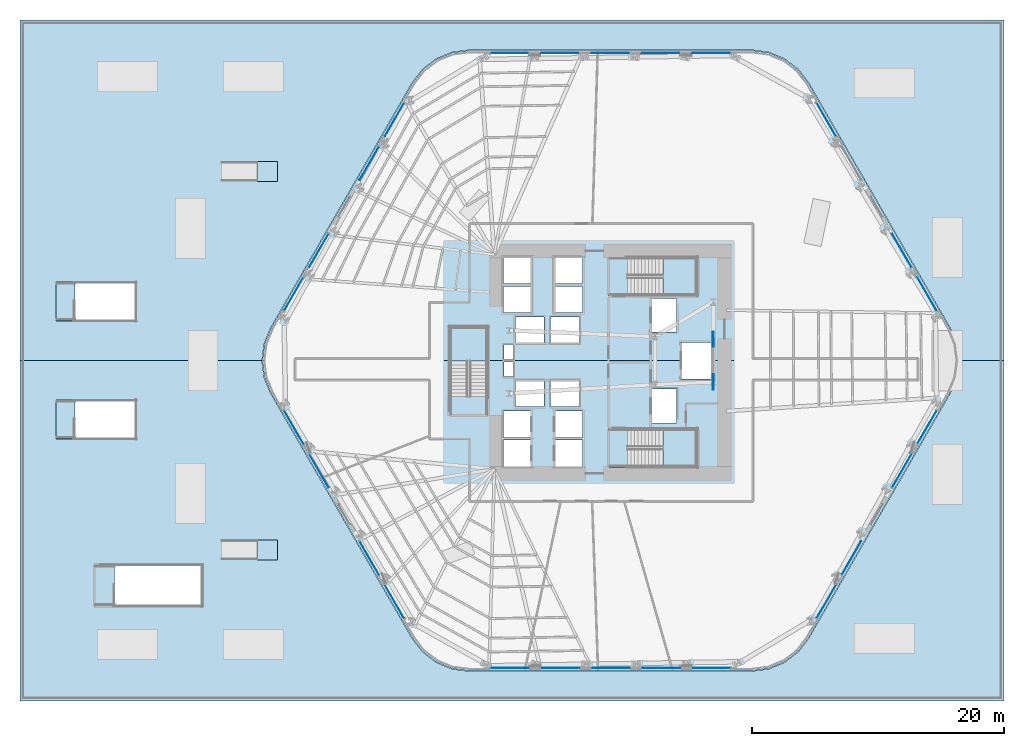
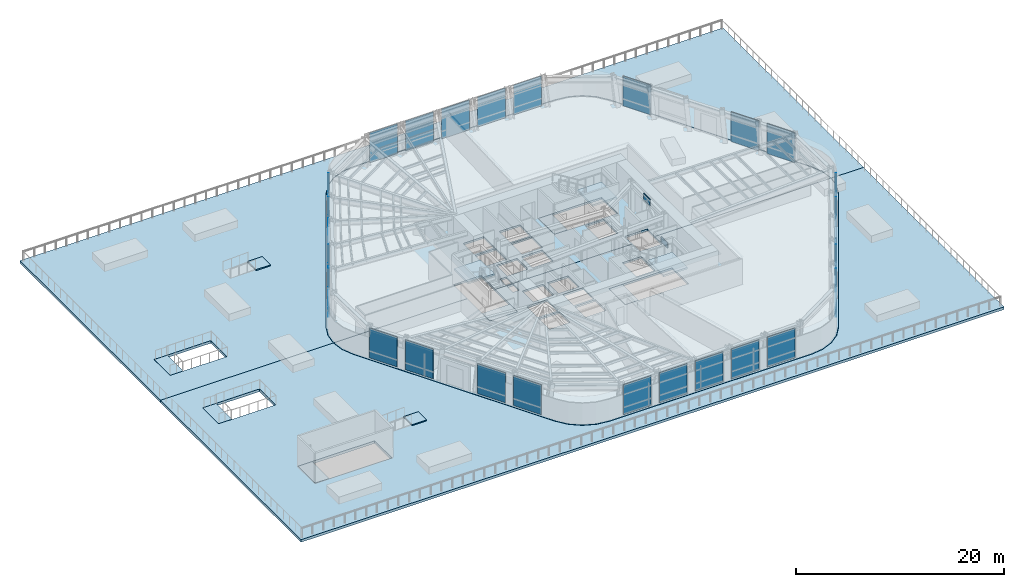
# One storey, part 7 of 18: 27 plates, 15 slabs, 11 elements without a shape of their own.
"""IFC4 building model written with IfcOpenShell, lengths in metres."""

from ifc_helpers import new_model, si_unit, direction, frame, origin, origin_2d, place, context, subcontext, project, spatial, polyline, rectangle, outline, extrude, material, layer, layer_set, type_object, element, aggregate, save


model = new_model("IFC4")

# Units and contexts
model_context = context("Model", 3, precision=1e-05, world=origin(), true_north=direction((0.0, 1.0)))
body_context = subcontext(model_context, "Body", "Model", "MODEL_VIEW")
ifc_project = project(units=[si_unit("LENGTHUNIT", "METRE"), si_unit("AREAUNIT", "SQUARE_METRE"), si_unit("VOLUMEUNIT", "CUBIC_METRE"), si_unit("PLANEANGLEUNIT", "RADIAN"), si_unit("MASSUNIT", "GRAM", prefix="KILO")], contexts=[model_context])

# Site, building, storey
site_placement = place(None, origin())
site = spatial("IfcSite", under=ifc_project, at=site_placement, CompositionType="ELEMENT")
building_placement = place(site_placement, origin())
building = spatial("IfcBuilding", under=site, at=building_placement, Name="Valkerne Bourse Tower", CompositionType="ELEMENT")
storey_placement = place(building_placement, frame((0.0, 0.0, 24.0)))
storey = spatial("IfcBuildingStorey", under=building, at=storey_placement, Name="L05", CompositionType="ELEMENT", Elevation=24.0)

# Curtain wall, plates
ifc_material_1 = material(Name="Aluminium AA 6063-T6", Category="aluminium")
ifc_layer_1 = layer(ifc_material_1, 0.22509765625)
ifc_layer_set_1 = layer_set([ifc_layer_1], Name="Aluminium AA 6063-T6")
curtain_wall_type = type_object("IfcCurtainWallType", Name="CW-01", PredefinedType="NOTDEFINED", material=ifc_layer_set_1)
curtain_wall_1_placement = place(storey_placement, origin())
curtain_wall_1 = element("IfcCurtainWall", 1, at=curtain_wall_1_placement, inside=storey, type_object=curtain_wall_type, Name="L05 Hexagonal Stick Curtain Wall Face 1", PredefinedType="NOTDEFINED")
ifc_material_2 = material(Name="Glass IGU Low-E Double Glazed", Category="glass")
ifc_layer_2 = layer(ifc_material_2, 0.031982421875)
ifc_layer_set_2 = layer_set([ifc_layer_2], Name="Glass IGU Low-E Double Glazed")
plate_type_1 = type_object("IfcPlateType", Name="CW-PNL-IGU-32", PredefinedType="CURTAIN_PANEL", material=ifc_layer_set_2)
plate_1_placement = place(storey_placement, frame((71.90283203125, 32.264892578125, 0.030029296875), z_axis=(0.0, 0.0, 1.0), x_axis=(-0.500004065051, 0.866023056813, 0.0)))
plate_1 = element("IfcPlate", 2, at=plate_1_placement, type_object=plate_type_1, Name="CW-L05-F1 Curtain Panel 00", PredefinedType="CURTAIN_PANEL", context=body_context, shape_type="SweptSolid", body=[
    extrude(rectangle(XDim=3.075927734375, YDim=0.031982421875, at=origin_2d()), origin(), (0.0, 0.0, 1.0), 3.52001953125),
])
plate_2_placement = place(storey_placement, frame((69.90478515625, 35.7255859375, 0.030029296875), z_axis=(0.0, 0.0, 1.0), x_axis=(-0.499993228951, 0.866029313016, 0.0)))
plate_2 = element("IfcPlate", 3, at=plate_2_placement, type_object=plate_type_1, Name="CW-L05-F1 Curtain Panel 01", PredefinedType="CURTAIN_PANEL", context=body_context, shape_type="SweptSolid", body=[
    extrude(rectangle(XDim=3.076171875, YDim=0.031982421875, at=origin_2d()), origin(), (0.0, 0.0, 1.0), 3.52001953125),
])
plate_3_placement = place(storey_placement, frame((63.910888671875, 46.107421875, 0.030029296875), z_axis=(0.0, 0.0, 1.0), x_axis=(-0.500004065051, 0.866023056813, 0.0)))
plate_3 = element("IfcPlate", 4, at=plate_3_placement, type_object=plate_type_1, Name="CW-L05-F1 Curtain Panel 04", PredefinedType="CURTAIN_PANEL", context=body_context, shape_type="SweptSolid", body=[
    extrude(rectangle(XDim=3.075927734375, YDim=0.031982421875, at=origin_2d()), origin(), (0.0, 0.0, 1.0), 3.52001953125),
])
aggregate(curtain_wall_1, [plate_1, plate_2, plate_3])

curtain_wall_2_placement = place(storey_placement, origin())
curtain_wall_2 = element("IfcCurtainWall", 5, at=curtain_wall_2_placement, inside=storey, type_object=curtain_wall_type, Name="L05 Hexagonal Stick Curtain Wall Face 2", PredefinedType="NOTDEFINED")
plate_4_placement = place(storey_placement, frame((54.7919921875, 51.372314453125, 0.030029296875), z_axis=(0.0, 0.0, 1.0), x_axis=(-1.0, 0.0, 0.0)))
plate_4 = element("IfcPlate", 6, at=plate_4_placement, type_object=plate_type_1, Name="CW-L05-F2 Curtain Panel 00", PredefinedType="CURTAIN_PANEL", context=body_context, shape_type="SweptSolid", body=[
    extrude(rectangle(XDim=3.075927734375, YDim=0.031982421875, at=origin_2d()), origin(), (0.0, 0.0, 1.0), 3.52001953125),
])
plate_5_placement = place(storey_placement, frame((50.7958984375, 51.372314453125, 0.030029296875), z_axis=(0.0, 0.0, 1.0), x_axis=(-1.0, 0.0, 0.0)))
plate_5 = element("IfcPlate", 7, at=plate_5_placement, type_object=plate_type_1, Name="CW-L05-F2 Curtain Panel 01", PredefinedType="CURTAIN_PANEL", context=body_context, shape_type="SweptSolid", body=[
    extrude(rectangle(XDim=3.075927734375, YDim=0.031982421875, at=origin_2d()), origin(), (0.0, 0.0, 1.0), 3.52001953125),
])
plate_6_placement = place(storey_placement, frame((46.800048828125, 51.372314453125, 0.030029296875), z_axis=(0.0, 0.0, 1.0), x_axis=(-1.0, 0.0, 0.0)))
plate_6 = element("IfcPlate", 8, at=plate_6_placement, type_object=plate_type_1, Name="CW-L05-F2 Curtain Panel 02", PredefinedType="CURTAIN_PANEL", context=body_context, shape_type="SweptSolid", body=[
    extrude(rectangle(XDim=3.075927734375, YDim=0.031982421875, at=origin_2d()), origin(), (0.0, 0.0, 1.0), 3.52001953125),
])
plate_7_placement = place(storey_placement, frame((42.803955078125, 51.372314453125, 0.030029296875), z_axis=(0.0, 0.0, 1.0), x_axis=(-1.0, 0.0, 0.0)))
plate_7 = element("IfcPlate", 9, at=plate_7_placement, type_object=plate_type_1, Name="CW-L05-F2 Curtain Panel 03", PredefinedType="CURTAIN_PANEL", context=body_context, shape_type="SweptSolid", body=[
    extrude(rectangle(XDim=3.075927734375, YDim=0.031982421875, at=origin_2d()), origin(), (0.0, 0.0, 1.0), 3.52001953125),
])
plate_8_placement = place(storey_placement, frame((38.80810546875, 51.372314453125, 0.030029296875), z_axis=(0.0, 0.0, 1.0), x_axis=(-1.0, 0.0, 0.0)))
plate_8 = element("IfcPlate", 10, at=plate_8_placement, type_object=plate_type_1, Name="CW-L05-F2 Curtain Panel 04", PredefinedType="CURTAIN_PANEL", context=body_context, shape_type="SweptSolid", body=[
    extrude(rectangle(XDim=3.075927734375, YDim=0.031982421875, at=origin_2d()), origin(), (0.0, 0.0, 1.0), 3.52001953125),
])
aggregate(curtain_wall_2, [plate_4, plate_5, plate_6, plate_7, plate_8])

curtain_wall_3_placement = place(storey_placement, origin())
curtain_wall_3 = element("IfcCurtainWall", 11, at=curtain_wall_3_placement, inside=storey, type_object=curtain_wall_type, Name="L05 Hexagonal Stick Curtain Wall Face 3", PredefinedType="NOTDEFINED")
plate_9_placement = place(storey_placement, frame((29.689208984375, 46.107421875, 0.030029296875), z_axis=(0.0, 0.0, 1.0), x_axis=(-0.500004065051, -0.866023056813, 0.0)))
plate_9 = element("IfcPlate", 12, at=plate_9_placement, type_object=plate_type_1, Name="CW-L05-F3 Curtain Panel 00", PredefinedType="CURTAIN_PANEL", context=body_context, shape_type="SweptSolid", body=[
    extrude(rectangle(XDim=3.075927734375, YDim=0.031982421875, at=origin_2d()), origin(), (0.0, 0.0, 1.0), 3.52001953125),
])
plate_10_placement = place(storey_placement, frame((27.691162109375, 42.646728515625, 0.030029296875), z_axis=(0.0, 0.0, 1.0), x_axis=(-0.499993228951, -0.866029313016, 0.0)))
plate_10 = element("IfcPlate", 13, at=plate_10_placement, type_object=plate_type_1, Name="CW-L05-F3 Curtain Panel 01", PredefinedType="CURTAIN_PANEL", context=body_context, shape_type="SweptSolid", body=[
    extrude(rectangle(XDim=3.076171875, YDim=0.031982421875, at=origin_2d()), origin(), (0.0, 0.0, 1.0), 3.52001953125),
])
plate_11_placement = place(storey_placement, frame((23.695068359375, 35.7255859375, 0.030029296875), z_axis=(0.0, 0.0, 1.0), x_axis=(-0.499993228951, -0.866029313016, 0.0)))
plate_11 = element("IfcPlate", 14, at=plate_11_placement, type_object=plate_type_1, Name="CW-L05-F3 Curtain Panel 03", PredefinedType="CURTAIN_PANEL", context=body_context, shape_type="SweptSolid", body=[
    extrude(rectangle(XDim=3.076171875, YDim=0.031982421875, at=origin_2d()), origin(), (0.0, 0.0, 1.0), 3.52001953125),
])
plate_12_placement = place(storey_placement, frame((21.697021484375, 32.264892578125, 0.030029296875), z_axis=(0.0, 0.0, 1.0), x_axis=(-0.500004065051, -0.866023056813, 0.0)))
plate_12 = element("IfcPlate", 15, at=plate_12_placement, type_object=plate_type_1, Name="CW-L05-F3 Curtain Panel 04", PredefinedType="CURTAIN_PANEL", context=body_context, shape_type="SweptSolid", body=[
    extrude(rectangle(XDim=3.075927734375, YDim=0.031982421875, at=origin_2d()), origin(), (0.0, 0.0, 1.0), 3.52001953125),
])
aggregate(curtain_wall_3, [plate_9, plate_10, plate_11, plate_12])

curtain_wall_4_placement = place(storey_placement, origin())
curtain_wall_4 = element("IfcCurtainWall", 16, at=curtain_wall_4_placement, inside=storey, type_object=curtain_wall_type, Name="L05 Hexagonal Stick Curtain Wall Face 4", PredefinedType="NOTDEFINED")
plate_13_placement = place(storey_placement, frame((21.697021484375, 21.735107421875, 0.030029296875), z_axis=(0.0, 0.0, 1.0), x_axis=(0.500004065051, -0.866023056813, 0.0)))
plate_13 = element("IfcPlate", 17, at=plate_13_placement, type_object=plate_type_1, Name="CW-L05-F4 Curtain Panel 00", PredefinedType="CURTAIN_PANEL", context=body_context, shape_type="SweptSolid", body=[
    extrude(rectangle(XDim=3.075927734375, YDim=0.031982421875, at=origin_2d()), origin(), (0.0, 0.0, 1.0), 3.52001953125),
])
plate_14_placement = place(storey_placement, frame((23.695068359375, 18.274658203125, 0.030029296875), z_axis=(0.0, 0.0, 1.0), x_axis=(0.499993228951, -0.866029313016, 0.0)))
plate_14 = element("IfcPlate", 18, at=plate_14_placement, type_object=plate_type_1, Name="CW-L05-F4 Curtain Panel 01", PredefinedType="CURTAIN_PANEL", context=body_context, shape_type="SweptSolid", body=[
    extrude(rectangle(XDim=3.076171875, YDim=0.031982421875, at=origin_2d()), origin(), (0.0, 0.0, 1.0), 3.52001953125),
])
plate_15_placement = place(storey_placement, frame((27.691162109375, 11.353271484375, 0.030029296875), z_axis=(0.0, 0.0, 1.0), x_axis=(0.499993228951, -0.866029313016, 0.0)))
plate_15 = element("IfcPlate", 19, at=plate_15_placement, type_object=plate_type_1, Name="CW-L05-F4 Curtain Panel 03", PredefinedType="CURTAIN_PANEL", context=body_context, shape_type="SweptSolid", body=[
    extrude(rectangle(XDim=3.076171875, YDim=0.031982421875, at=origin_2d()), origin(), (0.0, 0.0, 1.0), 3.52001953125),
])
plate_16_placement = place(storey_placement, frame((29.689208984375, 7.892578125, 0.030029296875), z_axis=(0.0, 0.0, 1.0), x_axis=(0.500004065051, -0.866023056813, 0.0)))
plate_16 = element("IfcPlate", 20, at=plate_16_placement, type_object=plate_type_1, Name="CW-L05-F4 Curtain Panel 04", PredefinedType="CURTAIN_PANEL", context=body_context, shape_type="SweptSolid", body=[
    extrude(rectangle(XDim=3.075927734375, YDim=0.031982421875, at=origin_2d()), origin(), (0.0, 0.0, 1.0), 3.52001953125),
])
aggregate(curtain_wall_4, [plate_13, plate_14, plate_15, plate_16])

curtain_wall_5_placement = place(storey_placement, origin())
curtain_wall_5 = element("IfcCurtainWall", 21, at=curtain_wall_5_placement, inside=storey, type_object=curtain_wall_type, Name="L05 Hexagonal Stick Curtain Wall Face 5", PredefinedType="NOTDEFINED")
plate_17_placement = place(storey_placement, frame((38.80810546875, 2.627685546875, 0.030029296875), z_axis=(0.0, 0.0, 1.0), x_axis=(1.0, 0.0, 0.0)))
plate_17 = element("IfcPlate", 22, at=plate_17_placement, type_object=plate_type_1, Name="CW-L05-F5 Curtain Panel 00", PredefinedType="CURTAIN_PANEL", context=body_context, shape_type="SweptSolid", body=[
    extrude(rectangle(XDim=3.075927734375, YDim=0.031982421875, at=origin_2d()), origin(), (0.0, 0.0, 1.0), 3.52001953125),
])
plate_18_placement = place(storey_placement, frame((42.803955078125, 2.627685546875, 0.030029296875), z_axis=(0.0, 0.0, 1.0), x_axis=(1.0, 0.0, 0.0)))
plate_18 = element("IfcPlate", 23, at=plate_18_placement, type_object=plate_type_1, Name="CW-L05-F5 Curtain Panel 01", PredefinedType="CURTAIN_PANEL", context=body_context, shape_type="SweptSolid", body=[
    extrude(rectangle(XDim=3.075927734375, YDim=0.031982421875, at=origin_2d()), origin(), (0.0, 0.0, 1.0), 3.52001953125),
])
plate_19_placement = place(storey_placement, frame((46.800048828125, 2.627685546875, 0.030029296875), z_axis=(0.0, 0.0, 1.0), x_axis=(1.0, 0.0, 0.0)))
plate_19 = element("IfcPlate", 24, at=plate_19_placement, type_object=plate_type_1, Name="CW-L05-F5 Curtain Panel 02", PredefinedType="CURTAIN_PANEL", context=body_context, shape_type="SweptSolid", body=[
    extrude(rectangle(XDim=3.075927734375, YDim=0.031982421875, at=origin_2d()), origin(), (0.0, 0.0, 1.0), 3.52001953125),
])
plate_20_placement = place(storey_placement, frame((50.7958984375, 2.627685546875, 0.030029296875), z_axis=(0.0, 0.0, 1.0), x_axis=(1.0, 0.0, 0.0)))
plate_20 = element("IfcPlate", 25, at=plate_20_placement, type_object=plate_type_1, Name="CW-L05-F5 Curtain Panel 03", PredefinedType="CURTAIN_PANEL", context=body_context, shape_type="SweptSolid", body=[
    extrude(rectangle(XDim=3.075927734375, YDim=0.031982421875, at=origin_2d()), origin(), (0.0, 0.0, 1.0), 3.52001953125),
])
plate_21_placement = place(storey_placement, frame((54.7919921875, 2.627685546875, 0.030029296875), z_axis=(0.0, 0.0, 1.0), x_axis=(1.0, 0.0, 0.0)))
plate_21 = element("IfcPlate", 26, at=plate_21_placement, type_object=plate_type_1, Name="CW-L05-F5 Curtain Panel 04", PredefinedType="CURTAIN_PANEL", context=body_context, shape_type="SweptSolid", body=[
    extrude(rectangle(XDim=3.075927734375, YDim=0.031982421875, at=origin_2d()), origin(), (0.0, 0.0, 1.0), 3.52001953125),
])
aggregate(curtain_wall_5, [plate_17, plate_18, plate_19, plate_20, plate_21])

curtain_wall_6_placement = place(storey_placement, origin())
curtain_wall_6 = element("IfcCurtainWall", 27, at=curtain_wall_6_placement, inside=storey, type_object=curtain_wall_type, Name="L05 Hexagonal Stick Curtain Wall Face 6", PredefinedType="NOTDEFINED")
plate_22_placement = place(storey_placement, frame((63.910888671875, 7.892578125, 0.030029296875), z_axis=(0.0, 0.0, 1.0), x_axis=(0.500004065051, 0.866023056813, 0.0)))
plate_22 = element("IfcPlate", 28, at=plate_22_placement, type_object=plate_type_1, Name="CW-L05-F6 Curtain Panel 00", PredefinedType="CURTAIN_PANEL", context=body_context, shape_type="SweptSolid", body=[
    extrude(rectangle(XDim=3.075927734375, YDim=0.031982421875, at=origin_2d()), origin(), (0.0, 0.0, 1.0), 3.52001953125),
])
plate_23_placement = place(storey_placement, frame((65.908935546875, 11.353271484375, 0.030029296875), z_axis=(0.0, 0.0, 1.0), x_axis=(0.499993228951, 0.866029313016, 0.0)))
plate_23 = element("IfcPlate", 29, at=plate_23_placement, type_object=plate_type_1, Name="CW-L05-F6 Curtain Panel 01", PredefinedType="CURTAIN_PANEL", context=body_context, shape_type="SweptSolid", body=[
    extrude(rectangle(XDim=3.076171875, YDim=0.031982421875, at=origin_2d()), origin(), (0.0, 0.0, 1.0), 3.52001953125),
])
plate_24_placement = place(storey_placement, frame((69.90478515625, 18.274658203125, 0.030029296875), z_axis=(0.0, 0.0, 1.0), x_axis=(0.499993228951, 0.866029313016, 0.0)))
plate_24 = element("IfcPlate", 30, at=plate_24_placement, type_object=plate_type_1, Name="CW-L05-F6 Curtain Panel 03", PredefinedType="CURTAIN_PANEL", context=body_context, shape_type="SweptSolid", body=[
    extrude(rectangle(XDim=3.076171875, YDim=0.031982421875, at=origin_2d()), origin(), (0.0, 0.0, 1.0), 3.52001953125),
])
plate_25_placement = place(storey_placement, frame((71.90283203125, 21.735107421875, 0.030029296875), z_axis=(0.0, 0.0, 1.0), x_axis=(0.500004065051, 0.866023056813, 0.0)))
plate_25 = element("IfcPlate", 31, at=plate_25_placement, type_object=plate_type_1, Name="CW-L05-F6 Curtain Panel 04", PredefinedType="CURTAIN_PANEL", context=body_context, shape_type="SweptSolid", body=[
    extrude(rectangle(XDim=3.075927734375, YDim=0.031982421875, at=origin_2d()), origin(), (0.0, 0.0, 1.0), 3.52001953125),
])
aggregate(curtain_wall_6, [plate_22, plate_23, plate_24, plate_25])

# Plates
ifc_material_3 = material(Name="Steel ASTM A572 Grade 50", Category="steel")
ifc_layer_3 = layer(ifc_material_3, 0.06005859375)
ifc_layer_set_3 = layer_set([ifc_layer_3], Name="Steel ASTM A572 Grade 50")
plate_type_2 = type_object("IfcPlateType", Name="PLT-GUS-60", PredefinedType="SHEET", material=ifc_layer_set_3)
for number, where, z_axis, x_axis, name in (
    (32, (54.949951171875, 25.300048828125, -0.18017578125), (0.0, 0.0, 1.0), (0.0, 1.0, 0.0), "L05 Brace Node Gusset Plate PLT-GUS-END-L05-326"),
    (33, (54.949951171875, 28.699951171875, 2.8740234375), (0.0, 0.0, 1.0), (0.0, 1.0, 0.0), "L05 Brace Node Gusset Plate PLT-GUS-END-L05-327"),
):
    element("IfcPlate", number, at=place(storey_placement, frame(where, z_axis=z_axis, x_axis=x_axis)), inside=storey, type_object=plate_type_2, Name=name, PredefinedType="SHEET", context=body_context, shape_type="SweptSolid", body=[
        extrude(rectangle(XDim=1.199951171875, YDim=0.06005859375, at=origin_2d()), origin(), (0.0, 0.0, 1.0), 0.800048828125),
    ])

# Slabs
ifc_material_4 = material(Name="Concrete C40/50", Category="concrete")
ifc_layer_4 = layer(ifc_material_4, 0.300048828125)
ifc_layer_set_4 = layer_set([ifc_layer_4], Name="Concrete C40/50")
slab_type_1 = type_object("IfcSlabType", Name="SLB-GDN-300", PredefinedType="FLOOR", material=ifc_layer_set_4)
slab_1_placement = place(storey_placement, frame((0.0, 0.0, -0.300048828125)))
element("IfcSlab", 34, at=slab_1_placement, inside=storey, type_object=slab_type_1, Name="L05 Raised Public Garden Deck Slab S", PredefinedType="FLOOR", context=body_context, shape_type="SweptSolid", body=[
    extrude(outline(polyline([(0.0, 27.0), (19.17431640625, 27.0), (19.17431640625, 26.998779296875), (19.1748046875, 26.99609375), (19.351806640625, 25.650146484375), (19.352294921875, 25.647705078125), (19.35302734375, 25.64501953125), (19.35400390625, 25.642578125), (19.873291015625, 24.388427734375), (19.875, 24.385009765625), (31.072998046875, 4.989990234375), (31.0751953125, 4.986572265625), (31.901611328125, 3.90966796875), (31.9033203125, 3.90771484375), (31.905029296875, 3.90576171875), (31.906982421875, 3.904052734375), (32.98388671875, 3.07763671875), (32.986083984375, 3.076171875), (32.98828125, 3.074951171875), (32.99072265625, 3.07373046875), (34.244873046875, 2.554443359375), (34.247314453125, 2.553466796875), (34.25, 2.552734375), (34.25244140625, 2.552490234375), (35.598388671875, 2.375244140625), (35.602294921875, 2.375), (57.997802734375, 2.375), (58.001708984375, 2.375244140625), (59.347412109375, 2.552490234375), (59.35009765625, 2.552734375), (59.3525390625, 2.553466796875), (59.35498046875, 2.554443359375), (60.609375, 3.07373046875), (60.61181640625, 3.074951171875), (60.614013671875, 3.076171875), (60.6162109375, 3.07763671875), (61.693115234375, 3.904052734375), (61.695068359375, 3.90576171875), (61.69677734375, 3.90771484375), (61.698486328125, 3.90966796875), (62.52490234375, 4.986572265625), (62.527099609375, 4.989990234375), (73.724853515625, 24.385009765625), (73.7265625, 24.388427734375), (74.24609375, 25.642578125), (74.2470703125, 25.64501953125), (74.247802734375, 25.647705078125), (74.248046875, 25.650146484375), (74.42529296875, 26.99609375), (74.425537109375, 26.998779296875), (74.425537109375, 27.0), (78.0, 27.0), (78.0, 0.0), (0.0, 0.0), (0.0, 27.0)]), holes=[polyline([(9.175048828125, 23.864990234375), (9.175048828125, 20.784912109375), (2.864990234375, 20.784912109375), (2.864990234375, 23.864990234375), (9.175048828125, 23.864990234375)]), polyline([(14.425048828125, 10.81494140625), (14.425048828125, 7.534912109375), (5.9150390625, 7.534912109375), (5.9150390625, 10.81494140625), (14.425048828125, 10.81494140625)])]), origin(), (0.0, 0.0, 1.0), 0.300048828125),
])
slab_2_placement = place(storey_placement, frame((0.0, 0.0, -0.300048828125)))
element("IfcSlab", 35, at=slab_2_placement, inside=storey, type_object=slab_type_1, Name="L05 Raised Public Garden Deck Slab N", PredefinedType="FLOOR", context=body_context, shape_type="SweptSolid", body=[
    extrude(outline(polyline([(0.0, 54.0), (78.0, 54.0), (78.0, 27.0), (74.425537109375, 27.0), (74.425537109375, 27.001220703125), (74.42529296875, 27.00390625), (74.248046875, 28.349853515625), (74.247802734375, 28.352294921875), (74.2470703125, 28.35498046875), (74.24609375, 28.357421875), (73.7265625, 29.611572265625), (73.724853515625, 29.614990234375), (62.527099609375, 49.010009765625), (62.52490234375, 49.013427734375), (61.698486328125, 50.09033203125), (61.69677734375, 50.09228515625), (61.695068359375, 50.09423828125), (61.693115234375, 50.095947265625), (60.6162109375, 50.92236328125), (60.614013671875, 50.923828125), (60.61181640625, 50.925048828125), (60.609375, 50.92626953125), (59.35498046875, 51.445556640625), (59.3525390625, 51.446533203125), (59.35009765625, 51.447265625), (59.347412109375, 51.447509765625), (58.001708984375, 51.624755859375), (57.997802734375, 51.625), (35.602294921875, 51.625), (35.598388671875, 51.624755859375), (34.25244140625, 51.447509765625), (34.25, 51.447265625), (34.247314453125, 51.446533203125), (34.244873046875, 51.445556640625), (32.99072265625, 50.92626953125), (32.98828125, 50.925048828125), (32.986083984375, 50.923828125), (32.98388671875, 50.92236328125), (31.906982421875, 50.095947265625), (31.905029296875, 50.09423828125), (31.9033203125, 50.09228515625), (31.901611328125, 50.09033203125), (31.0751953125, 49.013427734375), (31.072998046875, 49.010009765625), (19.875, 29.614990234375), (19.873291015625, 29.611572265625), (19.35400390625, 28.357421875), (19.35302734375, 28.35498046875), (19.352294921875, 28.352294921875), (19.351806640625, 28.349853515625), (19.1748046875, 27.00390625), (19.17431640625, 27.001220703125), (19.17431640625, 27.0), (0.0, 27.0), (0.0, 54.0)]), holes=[polyline([(2.864990234375, 33.215087890625), (9.175048828125, 33.215087890625), (9.175048828125, 30.135009765625), (2.864990234375, 30.135009765625), (2.864990234375, 33.215087890625)])]), origin(), (0.0, 0.0, 1.0), 0.300048828125),
])
ifc_layer_5 = layer(ifc_material_4, 0.25)
ifc_layer_set_5 = layer_set([ifc_layer_5], Name="Concrete C40/50")
slab_type_2 = type_object("IfcSlabType", Name="SLB-RMP-LND-250", PredefinedType="LANDING", material=ifc_layer_set_5)
slab_3_placement = place(storey_placement, frame((0.0, 0.0, -0.219970703125)))
element("IfcSlab", 36, at=slab_3_placement, inside=storey, type_object=slab_type_2, Name="L05 ST-1 Floor Landing Slab", PredefinedType="LANDING", context=body_context, shape_type="SweptSolid", body=[
    extrude(outline(polyline([(46.669921875, 18.5400390625), (48.14990234375, 18.5400390625), (48.14990234375, 21.610107421875), (46.669921875, 21.610107421875), (46.669921875, 18.5400390625)])), origin(), (0.0, 0.0, 1.0), 0.219970703125),
])
slab_4_placement = place(storey_placement, frame((0.0, 0.0, -0.219970703125)))
element("IfcSlab", 37, at=slab_4_placement, inside=storey, type_object=slab_type_2, Name="L05 ST-2 Floor Landing Slab", PredefinedType="LANDING", context=body_context, shape_type="SweptSolid", body=[
    extrude(outline(polyline([(46.669921875, 32.139892578125), (48.14990234375, 32.139892578125), (48.14990234375, 35.2099609375), (46.669921875, 35.2099609375), (46.669921875, 32.139892578125)])), origin(), (0.0, 0.0, 1.0), 0.219970703125),
])
slab_5_placement = place(storey_placement, frame((0.0, 0.0, -0.219970703125)))
element("IfcSlab", 38, at=slab_5_placement, inside=storey, type_object=slab_type_2, Name="L05 ST-3 Floor Landing Slab", PredefinedType="LANDING", context=body_context, shape_type="SweptSolid", body=[
    extrude(outline(polyline([(37.110107421875, 22.669921875), (37.110107421875, 24.14990234375), (34.0400390625, 24.14990234375), (34.0400390625, 22.669921875), (37.110107421875, 22.669921875)])), origin(), (0.0, 0.0, 1.0), 0.219970703125),
])
slab_6_placement = place(storey_placement, frame((0.0, 0.0, -0.219970703125)))
element("IfcSlab", 39, at=slab_6_placement, inside=storey, type_object=slab_type_2, Name="L05 ST-P1 Floor Landing Slab", PredefinedType="LANDING", context=body_context, shape_type="SweptSolid", body=[
    extrude(outline(polyline([(5.919921875, 7.5400390625), (7.5, 7.5400390625), (7.5, 10.81005859375), (5.919921875, 10.81005859375), (5.919921875, 7.5400390625)])), origin(), (0.0, 0.0, 1.0), 0.219970703125),
])
slab_7_placement = place(storey_placement, frame((0.0, 0.0, -0.219970703125)))
element("IfcSlab", 40, at=slab_7_placement, inside=storey, type_object=slab_type_2, Name="L05 ST-G1 Floor Landing Slab", PredefinedType="LANDING", context=body_context, shape_type="SweptSolid", body=[
    extrude(outline(polyline([(2.8701171875, 20.7900390625), (4.35009765625, 20.7900390625), (4.35009765625, 23.860107421875), (2.8701171875, 23.860107421875), (2.8701171875, 20.7900390625)])), origin(), (0.0, 0.0, 1.0), 0.219970703125),
])
slab_8_placement = place(storey_placement, frame((0.0, 0.0, -0.219970703125)))
element("IfcSlab", 41, at=slab_8_placement, inside=storey, type_object=slab_type_2, Name="L05 ST-G2 Floor Landing Slab", PredefinedType="LANDING", context=body_context, shape_type="SweptSolid", body=[
    extrude(outline(polyline([(2.8701171875, 30.139892578125), (4.35009765625, 30.139892578125), (4.35009765625, 33.2099609375), (2.8701171875, 33.2099609375), (2.8701171875, 30.139892578125)])), origin(), (0.0, 0.0, 1.0), 0.219970703125),
])

# Ramp, slab
ramp_type = type_object("IfcRampType", Name="RMP-PED-TYPE", PredefinedType="STRAIGHT_RUN_RAMP", material=ifc_material_4)
ramp_1_placement = place(storey_placement, origin())
ramp_1 = element("IfcRamp", 42, at=ramp_1_placement, inside=storey, type_object=ramp_type, Name="South Garden Deck Accessible Ramp 3", PredefinedType="STRAIGHT_RUN_RAMP")
slab_9_placement = place(storey_placement, origin())
slab_9 = element("IfcSlab", 43, at=slab_9_placement, type_object=slab_type_2, Name="South Garden Deck Accessible Ramp 3 Top Landing", PredefinedType="LANDING", context=body_context, shape_type="SweptSolid", body=[
    extrude(outline(polyline([(18.77001953125, 11.199951171875), (20.39990234375, 11.199951171875), (20.39990234375, 12.800048828125), (18.77001953125, 12.800048828125), (18.77001953125, 11.199951171875)])), origin(), (0.0, 0.0, 1.0), 0.1201171875),
])
aggregate(ramp_1, [slab_9])

ramp_2_placement = place(storey_placement, origin())
ramp_2 = element("IfcRamp", 44, at=ramp_2_placement, inside=storey, type_object=ramp_type, Name="North Garden Deck Accessible Ramp 4", PredefinedType="STRAIGHT_RUN_RAMP")
slab_10_placement = place(storey_placement, origin())
slab_10 = element("IfcSlab", 45, at=slab_10_placement, type_object=slab_type_2, Name="North Garden Deck Accessible Ramp 4 Top Landing", PredefinedType="LANDING", context=body_context, shape_type="SweptSolid", body=[
    extrude(outline(polyline([(18.77001953125, 41.199951171875), (20.39990234375, 41.199951171875), (20.39990234375, 42.800048828125), (18.77001953125, 42.800048828125), (18.77001953125, 41.199951171875)])), origin(), (0.0, 0.0, 1.0), 0.1201171875),
])
aggregate(ramp_2, [slab_10])

# Stair, slab
stair_type = type_object("IfcStairType", Name="ST-CORE-1400", PredefinedType="HALF_TURN_STAIR", material=ifc_material_4)
stair_1_placement = place(storey_placement, origin())
stair_1 = element("IfcStair", 46, at=stair_1_placement, inside=storey, type_object=stair_type, Name="L05 ST-1", PredefinedType="HALF_TURN_STAIR")
ifc_layer_6 = layer(ifc_material_4, 0.179931640625)
ifc_layer_set_6 = layer_set([ifc_layer_6], Name="Concrete C40/50")
slab_type_3 = type_object("IfcSlabType", Name="SLB-ST-LND-180", PredefinedType="LANDING", material=ifc_layer_set_6)
slab_11_placement = place(storey_placement, frame((0.0, 0.0, 1.699951171875)))
slab_11 = element("IfcSlab", 47, at=slab_11_placement, type_object=slab_type_3, Name="ST-1 landing 1", PredefinedType="LANDING", context=body_context, shape_type="SweptSolid", body=[
    extrude(outline(polyline([(50.949951171875, 18.60009765625), (53.64990234375, 18.60009765625), (53.64990234375, 21.550048828125), (50.949951171875, 21.550048828125), (50.949951171875, 18.60009765625)])), origin(), (0.0, 0.0, 1.0), 0.199951171875),
])
aggregate(stair_1, [slab_11])

stair_2_placement = place(storey_placement, origin())
stair_2 = element("IfcStair", 48, at=stair_2_placement, inside=storey, type_object=stair_type, Name="L05 ST-2", PredefinedType="HALF_TURN_STAIR")
slab_12_placement = place(storey_placement, frame((0.0, 0.0, 1.699951171875)))
slab_12 = element("IfcSlab", 49, at=slab_12_placement, type_object=slab_type_3, Name="ST-2 landing 1", PredefinedType="LANDING", context=body_context, shape_type="SweptSolid", body=[
    extrude(outline(polyline([(50.949951171875, 32.199951171875), (53.64990234375, 32.199951171875), (53.64990234375, 35.14990234375), (50.949951171875, 35.14990234375), (50.949951171875, 32.199951171875)])), origin(), (0.0, 0.0, 1.0), 0.199951171875),
])
aggregate(stair_2, [slab_12])

stair_3_placement = place(storey_placement, origin())
stair_3 = element("IfcStair", 50, at=stair_3_placement, inside=storey, type_object=stair_type, Name="L05 ST-3", PredefinedType="HALF_TURN_STAIR")
slab_13_placement = place(storey_placement, frame((0.0, 0.0, 1.699951171875)))
slab_13 = element("IfcSlab", 51, at=slab_13_placement, type_object=slab_type_3, Name="ST-3 landing 1", PredefinedType="LANDING", context=body_context, shape_type="SweptSolid", body=[
    extrude(outline(polyline([(37.050048828125, 26.949951171875), (37.050048828125, 29.64990234375), (34.10009765625, 29.64990234375), (34.10009765625, 26.949951171875), (37.050048828125, 26.949951171875)])), origin(), (0.0, 0.0, 1.0), 0.199951171875),
])
aggregate(stair_3, [slab_13])

# Slabs
ifc_layer_7 = layer(ifc_material_4, 0.219970703125)
ifc_layer_set_7 = layer_set([ifc_layer_7], Name="Concrete C40/50")
slab_type_4 = type_object("IfcSlabType", Name="SLB-TOW-220", PredefinedType="FLOOR", material=ifc_layer_set_7)
slab_14_placement = place(storey_placement, frame((0.0, 0.0, -0.219970703125)))
element("IfcSlab", 52, at=slab_14_placement, inside=storey, type_object=slab_type_4, Name="L05 Tower Base Composite Floor Slab S", PredefinedType="FLOOR", context=body_context, shape_type="SweptSolid", body=[
    extrude(outline(polyline([(61.6748046875, 3.927978515625), (60.597900390625, 3.1015625), (59.343505859375, 2.58203125), (57.997802734375, 2.40478515625), (35.602294921875, 2.40478515625), (34.25634765625, 2.58203125), (33.002197265625, 3.1015625), (31.92529296875, 3.927978515625), (31.098876953125, 5.0048828125), (19.901123046875, 24.39990234375), (19.381591796875, 25.654052734375), (19.204345703125, 27.0), (34.034912109375, 27.0), (34.034912109375, 22.6650390625), (37.114990234375, 22.6650390625), (37.114990234375, 27.0), (52.360107421875, 27.0), (52.360107421875, 25.56005859375), (54.840087890625, 25.56005859375), (54.840087890625, 27.0), (74.3955078125, 27.0), (74.218505859375, 25.654052734375), (73.698974609375, 24.39990234375), (62.501220703125, 5.0048828125), (61.6748046875, 3.927978515625)]), holes=[polyline([(40.590087890625, 20.68994140625), (38.31005859375, 20.68994140625), (38.31005859375, 18.610107421875), (40.590087890625, 18.610107421875), (40.590087890625, 20.68994140625)]), polyline([(40.590087890625, 22.989990234375), (38.31005859375, 22.989990234375), (38.31005859375, 20.909912109375), (40.590087890625, 20.909912109375), (40.590087890625, 22.989990234375)]), polyline([(41.5400390625, 23.360107421875), (41.5400390625, 25.43994140625), (39.260009765625, 25.43994140625), (39.260009765625, 23.360107421875), (41.5400390625, 23.360107421875)]), polyline([(39.10009765625, 25.72998046875), (39.10009765625, 26.89990234375), (38.3798828125, 26.89990234375), (38.3798828125, 25.72998046875), (39.10009765625, 25.72998046875)]), polyline([(44.590087890625, 18.610107421875), (44.590087890625, 20.68994140625), (42.31005859375, 20.68994140625), (42.31005859375, 18.610107421875), (44.590087890625, 18.610107421875)]), polyline([(53.675048828125, 18.534912109375), (53.675048828125, 21.614990234375), (46.6650390625, 21.614990234375), (46.6650390625, 18.534912109375), (53.675048828125, 18.534912109375)]), polyline([(44.590087890625, 22.989990234375), (42.31005859375, 22.989990234375), (42.31005859375, 20.909912109375), (44.590087890625, 20.909912109375), (44.590087890625, 22.989990234375)]), polyline([(52.0400390625, 22.06005859375), (52.0400390625, 24.739990234375), (49.9599609375, 24.739990234375), (49.9599609375, 22.06005859375), (52.0400390625, 22.06005859375)]), polyline([(44.340087890625, 23.360107421875), (44.340087890625, 25.43994140625), (42.06005859375, 25.43994140625), (42.06005859375, 23.360107421875), (44.340087890625, 23.360107421875)])]), origin(), (0.0, 0.0, 1.0), 0.219970703125),
])
slab_15_placement = place(storey_placement, frame((0.0, 0.0, -0.219970703125)))
element("IfcSlab", 53, at=slab_15_placement, inside=storey, type_object=slab_type_4, Name="L05 Tower Base Composite Floor Slab N", PredefinedType="FLOOR", context=body_context, shape_type="SweptSolid", body=[
    extrude(outline(polyline([(19.381591796875, 28.345947265625), (19.901123046875, 29.60009765625), (31.098876953125, 48.9951171875), (31.92529296875, 50.072021484375), (33.002197265625, 50.8984375), (34.25634765625, 51.41796875), (35.602294921875, 51.59521484375), (57.997802734375, 51.59521484375), (59.343505859375, 51.41796875), (60.597900390625, 50.8984375), (61.6748046875, 50.072021484375), (62.501220703125, 48.9951171875), (73.698974609375, 29.60009765625), (74.218505859375, 28.345947265625), (74.3955078125, 27.0), (54.840087890625, 27.0), (54.840087890625, 28.43994140625), (52.360107421875, 28.43994140625), (52.360107421875, 27.0), (37.114990234375, 27.0), (37.114990234375, 29.675048828125), (34.034912109375, 29.675048828125), (34.034912109375, 27.0), (19.204345703125, 27.0), (19.381591796875, 28.345947265625)]), holes=[polyline([(39.10009765625, 27.10009765625), (39.10009765625, 28.27001953125), (38.3798828125, 28.27001953125), (38.3798828125, 27.10009765625), (39.10009765625, 27.10009765625)]), polyline([(41.5400390625, 30.43994140625), (39.260009765625, 30.43994140625), (39.260009765625, 28.360107421875), (41.5400390625, 28.360107421875), (41.5400390625, 30.43994140625)]), polyline([(40.590087890625, 30.81005859375), (40.590087890625, 32.889892578125), (38.31005859375, 32.889892578125), (38.31005859375, 30.81005859375), (40.590087890625, 30.81005859375)]), polyline([(40.590087890625, 35.18994140625), (38.31005859375, 35.18994140625), (38.31005859375, 33.110107421875), (40.590087890625, 33.110107421875), (40.590087890625, 35.18994140625)]), polyline([(44.340087890625, 28.360107421875), (44.340087890625, 30.43994140625), (42.06005859375, 30.43994140625), (42.06005859375, 28.360107421875), (44.340087890625, 28.360107421875)]), polyline([(52.0400390625, 29.260009765625), (52.0400390625, 31.93994140625), (49.9599609375, 31.93994140625), (49.9599609375, 29.260009765625), (52.0400390625, 29.260009765625)]), polyline([(44.590087890625, 32.889892578125), (42.31005859375, 32.889892578125), (42.31005859375, 30.81005859375), (44.590087890625, 30.81005859375), (44.590087890625, 32.889892578125)]), polyline([(53.675048828125, 32.135009765625), (53.675048828125, 35.215087890625), (46.6650390625, 35.215087890625), (46.6650390625, 32.135009765625), (53.675048828125, 32.135009765625)]), polyline([(44.590087890625, 33.110107421875), (44.590087890625, 35.18994140625), (42.31005859375, 35.18994140625), (42.31005859375, 33.110107421875), (44.590087890625, 33.110107421875)])]), origin(), (0.0, 0.0, 1.0), 0.219970703125),
])

save(model, "model.ifc")
